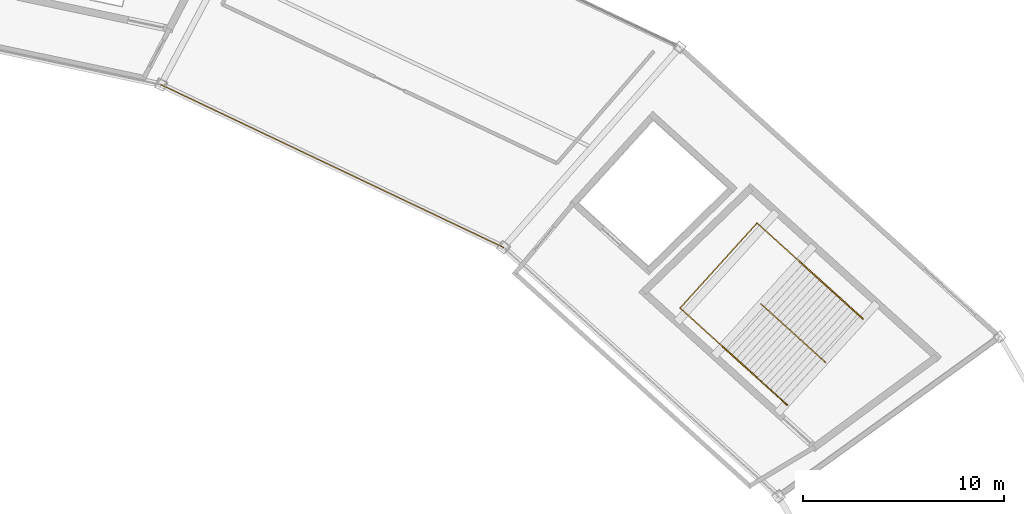
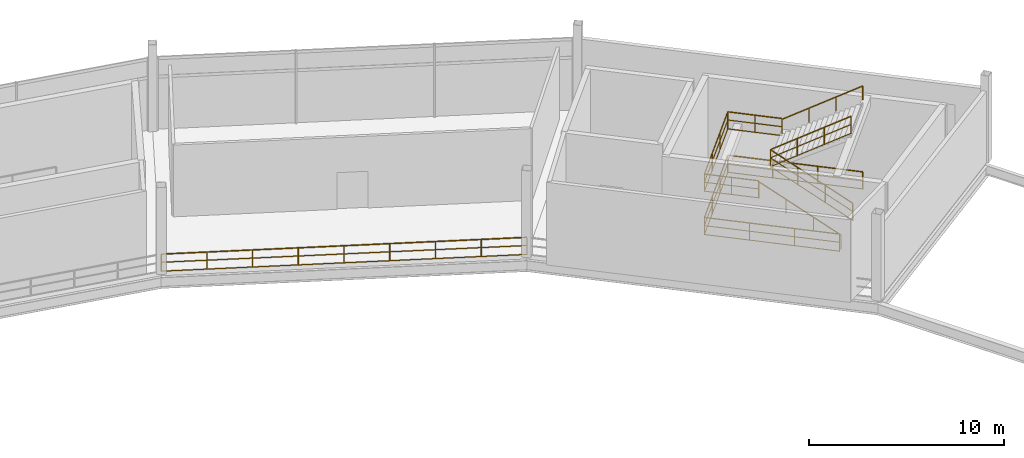
# One storey, part 103 of 103: 6 railings.
"""IFC4 building model written with IfcOpenShell, lengths in metres."""

from ifc_helpers import new_model, si_unit, direction, frame, origin, origin_2d, place, context, subcontext, project, spatial, rectangle, extrude, material, type_object, element, save


model = new_model("IFC4")

# Units and contexts
model_context = context("Model", 3, precision=1e-05, world=origin(), true_north=direction((0.0, 1.0)))
body_context = subcontext(model_context, "Body", "Model", "MODEL_VIEW")
ifc_project = project(units=[si_unit("LENGTHUNIT", "METRE"), si_unit("AREAUNIT", "SQUARE_METRE"), si_unit("VOLUMEUNIT", "CUBIC_METRE"), si_unit("PLANEANGLEUNIT", "RADIAN"), si_unit("MASSUNIT", "GRAM", prefix="KILO")], contexts=[model_context])

# Site, building, storey
site_placement = place(None, origin())
site = spatial("IfcSite", under=ifc_project, at=site_placement, CompositionType="ELEMENT")
building_placement = place(site_placement, origin())
building = spatial("IfcBuilding", under=site, at=building_placement, Name="Kazemori Nagisa Stadium", CompositionType="ELEMENT")
storey_placement = place(building_placement, frame((0.0, 0.0, 25.840087890625)))
storey = spatial("IfcBuildingStorey", under=building, at=storey_placement, Name="L05", CompositionType="ELEMENT", Elevation=25.840087890625)

# Railings
ifc_material_1 = material(Name="Laminated safety glass and stainless steel SUS304", Category="steel")
railing_type_1 = type_object("IfcRailingType", Name="Rail_BAL", PredefinedType="BALUSTRADE", material=ifc_material_1)
railing_1_placement = place(storey_placement, frame((176.834228515625, 163.11083984375, 0.0)))
element("IfcRailing", 1, at=railing_1_placement, inside=storey, type_object=railing_type_1, Name="Upper concourse balustrade L05-B05", PredefinedType="BALUSTRADE", context=body_context, shape_type="SweptSolid", body=[
    extrude(rectangle(XDim=0.050048828125, YDim=0.050048828125, at=origin_2d()), frame((0.0, 0.0, 1.09521484375), z_axis=(-0.90321938295, 0.42917915404, 0.0), x_axis=(-0.42917915404, -0.90321938295, 0.0)), (0.0, 0.0, 1.0), 18.84619140625),
    extrude(rectangle(XDim=0.03759765625, YDim=0.03759765625, at=origin_2d()), frame((0.0, 0.0, 0.58251953125), z_axis=(-0.90321938295, 0.42917915404, 0.0), x_axis=(-0.42917915404, -0.90321938295, 0.0)), (0.0, 0.0, 1.0), 18.84619140625),
    extrude(rectangle(XDim=0.03759765625, YDim=0.03759765625, at=origin_2d()), frame((0.0, 0.0, 0.02490234375), z_axis=(-0.90321938295, 0.42917915404, 0.0), x_axis=(-0.42917915404, -0.90321938295, 0.0)), (0.0, 0.0, 1.0), 18.84619140625),
    extrude(rectangle(XDim=0.044921875, YDim=0.044921875, at=origin_2d()), origin(), (0.0, 0.0, 1.0), 1.070068359375),
    extrude(rectangle(XDim=0.044921875, YDim=0.044921875, at=origin_2d()), frame((-2.127685546875, 1.010986328125, 0.0)), (0.0, 0.0, 1.0), 1.070068359375),
    extrude(rectangle(XDim=0.044921875, YDim=0.044921875, at=origin_2d()), frame((-4.255615234375, 2.02197265625, 0.0)), (0.0, 0.0, 1.0), 1.070068359375),
    extrude(rectangle(XDim=0.044921875, YDim=0.044921875, at=origin_2d()), frame((-6.38330078125, 3.033203125, 0.0)), (0.0, 0.0, 1.0), 1.070068359375),
    extrude(rectangle(XDim=0.044921875, YDim=0.044921875, at=origin_2d()), frame((-8.51123046875, 4.044189453125, 0.0)), (0.0, 0.0, 1.0), 1.070068359375),
    extrude(rectangle(XDim=0.044921875, YDim=0.044921875, at=origin_2d()), frame((-10.638916015625, 5.05517578125, 0.0)), (0.0, 0.0, 1.0), 1.070068359375),
    extrude(rectangle(XDim=0.044921875, YDim=0.044921875, at=origin_2d()), frame((-12.7666015625, 6.06640625, 0.0)), (0.0, 0.0, 1.0), 1.070068359375),
    extrude(rectangle(XDim=0.044921875, YDim=0.044921875, at=origin_2d()), frame((-14.89453125, 7.077392578125, 0.0)), (0.0, 0.0, 1.0), 1.070068359375),
    extrude(rectangle(XDim=0.044921875, YDim=0.044921875, at=origin_2d()), frame((-17.022216796875, 8.08837890625, 0.0)), (0.0, 0.0, 1.0), 1.070068359375),
])
ifc_material_2 = material(Name="Galvanised powder-coated steel", Category="steel")
railing_type_2 = type_object("IfcRailingType", Name="Rail_GUARD", PredefinedType="GUARDRAIL", material=ifc_material_2)
railing_2_placement = place(storey_placement, frame((190.87646484375, 155.334228515625, 0.0)))
element("IfcRailing", 2, at=railing_2_placement, inside=storey, type_object=railing_type_2, Name="Stair well perimeter guard ST01-L05", PredefinedType="GUARDRAIL", context=body_context, shape_type="SweptSolid", body=[
    extrude(rectangle(XDim=0.050048828125, YDim=0.050048828125, at=origin_2d()), frame((0.0, 0.0, 1.09521484375), z_axis=(-0.741349073354, 0.671119625281, 0.0), x_axis=(-0.671119625281, -0.741349073354, 0.0)), (0.0, 0.0, 1.0), 7.09521484375),
    extrude(rectangle(XDim=0.03759765625, YDim=0.03759765625, at=origin_2d()), frame((0.0, 0.0, 0.58251953125), z_axis=(-0.741349073354, 0.671119625281, 0.0), x_axis=(-0.671119625281, -0.741349073354, 0.0)), (0.0, 0.0, 1.0), 7.09521484375),
    extrude(rectangle(XDim=0.03759765625, YDim=0.03759765625, at=origin_2d()), frame((0.0, 0.0, 0.02490234375), z_axis=(-0.741349073354, 0.671119625281, 0.0), x_axis=(-0.671119625281, -0.741349073354, 0.0)), (0.0, 0.0, 1.0), 7.09521484375),
    extrude(rectangle(XDim=0.050048828125, YDim=0.050048828125, at=origin_2d()), frame((-5.260009765625, 4.76171875, 1.09521484375), z_axis=(0.67113423669, 0.74133584585, 0.0), x_axis=(-0.74133584585, 0.67113423669, 0.0)), (0.0, 0.0, 1.0), 5.699951171875),
    extrude(rectangle(XDim=0.03759765625, YDim=0.03759765625, at=origin_2d()), frame((-5.260009765625, 4.76171875, 0.58251953125), z_axis=(0.67113423669, 0.74133584585, 0.0), x_axis=(-0.74133584585, 0.67113423669, 0.0)), (0.0, 0.0, 1.0), 5.699951171875),
    extrude(rectangle(XDim=0.03759765625, YDim=0.03759765625, at=origin_2d()), frame((-5.260009765625, 4.76171875, 0.02490234375), z_axis=(0.67113423669, 0.74133584585, 0.0), x_axis=(-0.74133584585, 0.67113423669, 0.0)), (0.0, 0.0, 1.0), 5.699951171875),
    extrude(rectangle(XDim=0.050048828125, YDim=0.050048828125, at=origin_2d()), frame((-1.4345703125, 8.9873046875, 1.09521484375), z_axis=(0.741350695223, -0.671117833686, 0.0), x_axis=(0.671117833686, 0.741350695223, 0.0)), (0.0, 0.0, 1.0), 7.0947265625),
    extrude(rectangle(XDim=0.03759765625, YDim=0.03759765625, at=origin_2d()), frame((-1.4345703125, 8.9873046875, 0.58251953125), z_axis=(0.741350695223, -0.671117833686, 0.0), x_axis=(0.671117833686, 0.741350695223, 0.0)), (0.0, 0.0, 1.0), 7.0947265625),
    extrude(rectangle(XDim=0.03759765625, YDim=0.03759765625, at=origin_2d()), frame((-1.4345703125, 8.9873046875, 0.02490234375), z_axis=(0.741350695223, -0.671117833686, 0.0), x_axis=(0.671117833686, 0.741350695223, 0.0)), (0.0, 0.0, 1.0), 7.0947265625),
    extrude(rectangle(XDim=0.044921875, YDim=0.044921875, at=origin_2d()), origin(), (0.0, 0.0, 1.0), 1.070068359375),
    extrude(rectangle(XDim=0.044921875, YDim=0.044921875, at=origin_2d()), frame((-1.75341796875, 1.587158203125, 0.0)), (0.0, 0.0, 1.0), 1.070068359375),
    extrude(rectangle(XDim=0.044921875, YDim=0.044921875, at=origin_2d()), frame((-3.506591796875, 3.174560546875, 0.0)), (0.0, 0.0, 1.0), 1.070068359375),
    extrude(rectangle(XDim=0.044921875, YDim=0.044921875, at=origin_2d()), frame((-5.260009765625, 4.76171875, 0.0)), (0.0, 0.0, 1.0), 1.070068359375),
    extrude(rectangle(XDim=0.044921875, YDim=0.044921875, at=origin_2d()), frame((-3.98486328125, 6.170166015625, 0.0)), (0.0, 0.0, 1.0), 1.070068359375),
    extrude(rectangle(XDim=0.044921875, YDim=0.044921875, at=origin_2d()), frame((-2.709716796875, 7.578857421875, 0.0)), (0.0, 0.0, 1.0), 1.070068359375),
    extrude(rectangle(XDim=0.044921875, YDim=0.044921875, at=origin_2d()), frame((-1.4345703125, 8.9873046875, 0.0)), (0.0, 0.0, 1.0), 1.070068359375),
    extrude(rectangle(XDim=0.044921875, YDim=0.044921875, at=origin_2d()), frame((0.318603515625, 7.400146484375, 0.0)), (0.0, 0.0, 1.0), 1.070068359375),
    extrude(rectangle(XDim=0.044921875, YDim=0.044921875, at=origin_2d()), frame((2.072021484375, 5.81298828125, 0.0)), (0.0, 0.0, 1.0), 1.070068359375),
    extrude(rectangle(XDim=0.044921875, YDim=0.044921875, at=origin_2d()), frame((3.8251953125, 4.225830078125, 0.0)), (0.0, 0.0, 1.0), 1.070068359375),
])
railing_3_placement = place(storey_placement, frame((192.848388671875, 157.393310546875, 0.0)))
element("IfcRailing", 3, at=railing_3_placement, inside=storey, type_object=railing_type_2, Name="Stair central guard ST01-L05", PredefinedType="GUARDRAIL", context=body_context, shape_type="SweptSolid", body=[
    extrude(rectangle(XDim=0.050048828125, YDim=0.050048828125, at=origin_2d()), frame((0.0, 0.0, 1.09521484375), z_axis=(-0.627557777508, 0.568113486393, 0.532370456043), x_axis=(-0.67112318634, -0.741345849626, 0.0)), (0.0, 0.0, 1.0), 5.109130859375),
    extrude(rectangle(XDim=0.03759765625, YDim=0.03759765625, at=origin_2d()), frame((0.0, 0.0, 0.58251953125), z_axis=(-0.627557777508, 0.568113486393, 0.532370456043), x_axis=(-0.67112318634, -0.741345849626, 0.0)), (0.0, 0.0, 1.0), 5.109130859375),
    extrude(rectangle(XDim=0.03759765625, YDim=0.03759765625, at=origin_2d()), frame((0.0, 0.0, 0.02490234375), z_axis=(-0.627557777508, 0.568113486393, 0.532370456043), x_axis=(-0.67112318634, -0.741345849626, 0.0)), (0.0, 0.0, 1.0), 5.109130859375),
    extrude(rectangle(XDim=0.050048828125, YDim=0.050048828125, at=origin_2d()), frame((-3.206298828125, 2.902587890625, 3.81494140625), z_axis=(0.624200602078, -0.565073454279, 0.539504957933), x_axis=(0.671122625547, 0.741346357298, 0.0)), (0.0, 0.0, 1.0), 5.04150390625),
    extrude(rectangle(XDim=0.03759765625, YDim=0.03759765625, at=origin_2d()), frame((-3.206298828125, 2.902587890625, 3.302490234375), z_axis=(0.624200602078, -0.565073454279, 0.539504957933), x_axis=(0.671122625547, 0.741346357298, 0.0)), (0.0, 0.0, 1.0), 5.04150390625),
    extrude(rectangle(XDim=0.03759765625, YDim=0.03759765625, at=origin_2d()), frame((-3.206298828125, 2.902587890625, 2.7451171875), z_axis=(0.624200602078, -0.565073454279, 0.539504957933), x_axis=(0.671122625547, 0.741346357298, 0.0)), (0.0, 0.0, 1.0), 5.04150390625),
    extrude(rectangle(XDim=0.044921875, YDim=0.044921875, at=origin_2d()), origin(), (0.0, 0.0, 1.0), 1.070068359375),
    extrude(rectangle(XDim=0.044921875, YDim=0.044921875, at=origin_2d()), frame((-1.06884765625, 0.967529296875, 0.90673828125)), (0.0, 0.0, 1.0), 1.070068359375),
    extrude(rectangle(XDim=0.044921875, YDim=0.044921875, at=origin_2d()), frame((-2.137451171875, 1.93505859375, 1.813232421875)), (0.0, 0.0, 1.0), 1.070068359375),
    extrude(rectangle(XDim=0.044921875, YDim=0.044921875, at=origin_2d()), frame((-3.206298828125, 2.902587890625, 2.719970703125)), (0.0, 0.0, 1.0), 1.070068359375),
    extrude(rectangle(XDim=0.044921875, YDim=0.044921875, at=origin_2d()), frame((-2.1572265625, 1.952880859375, 3.626708984375)), (0.0, 0.0, 1.0), 1.070068359375),
    extrude(rectangle(XDim=0.044921875, YDim=0.044921875, at=origin_2d()), frame((-1.1083984375, 1.00341796875, 4.533203125)), (0.0, 0.0, 1.0), 1.070068359375),
    extrude(rectangle(XDim=0.044921875, YDim=0.044921875, at=origin_2d()), frame((-0.059326171875, 0.0537109375, 5.43994140625)), (0.0, 0.0, 1.0), 1.070068359375),
])
railing_4_placement = place(storey_placement, frame((187.729248046875, 158.18310546875, 2.719970703125)))
element("IfcRailing", 4, at=railing_4_placement, inside=storey, type_object=railing_type_2, Name="Stair landing guard ST01-L05", PredefinedType="GUARDRAIL", context=body_context, shape_type="SweptSolid", body=[
    extrude(rectangle(XDim=0.050048828125, YDim=0.050048828125, at=origin_2d()), frame((0.0, 0.0, 1.09521484375), z_axis=(-0.741314535645, 0.671157775223, 0.0), x_axis=(-0.671157775223, -0.741314535645, 0.0)), (0.0, 0.0, 1.0), 2.85009765625),
    extrude(rectangle(XDim=0.03759765625, YDim=0.03759765625, at=origin_2d()), frame((0.0, 0.0, 0.58251953125), z_axis=(-0.741314535645, 0.671157775223, 0.0), x_axis=(-0.671157775223, -0.741314535645, 0.0)), (0.0, 0.0, 1.0), 2.85009765625),
    extrude(rectangle(XDim=0.03759765625, YDim=0.03759765625, at=origin_2d()), frame((0.0, 0.0, 0.02490234375), z_axis=(-0.741314535645, 0.671157775223, 0.0), x_axis=(-0.671157775223, -0.741314535645, 0.0)), (0.0, 0.0, 1.0), 2.85009765625),
    extrude(rectangle(XDim=0.050048828125, YDim=0.050048828125, at=origin_2d()), frame((-2.11279296875, 1.912841796875, 1.09521484375), z_axis=(0.67113423669, 0.74133584585, 0.0), x_axis=(-0.74133584585, 0.67113423669, 0.0)), (0.0, 0.0, 1.0), 5.699951171875),
    extrude(rectangle(XDim=0.03759765625, YDim=0.03759765625, at=origin_2d()), frame((-2.11279296875, 1.912841796875, 0.58251953125), z_axis=(0.67113423669, 0.74133584585, 0.0), x_axis=(-0.74133584585, 0.67113423669, 0.0)), (0.0, 0.0, 1.0), 5.699951171875),
    extrude(rectangle(XDim=0.03759765625, YDim=0.03759765625, at=origin_2d()), frame((-2.11279296875, 1.912841796875, 0.02490234375), z_axis=(0.67113423669, 0.74133584585, 0.0), x_axis=(-0.74133584585, 0.67113423669, 0.0)), (0.0, 0.0, 1.0), 5.699951171875),
    extrude(rectangle(XDim=0.050048828125, YDim=0.050048828125, at=origin_2d()), frame((1.712646484375, 6.138427734375, 1.09521484375), z_axis=(0.741357156534, -0.671110696127, 0.0), x_axis=(0.671110696127, 0.741357156534, 0.0)), (0.0, 0.0, 1.0), 2.849853515625),
    extrude(rectangle(XDim=0.03759765625, YDim=0.03759765625, at=origin_2d()), frame((1.712646484375, 6.138427734375, 0.58251953125), z_axis=(0.741357156534, -0.671110696127, 0.0), x_axis=(0.671110696127, 0.741357156534, 0.0)), (0.0, 0.0, 1.0), 2.849853515625),
    extrude(rectangle(XDim=0.03759765625, YDim=0.03759765625, at=origin_2d()), frame((1.712646484375, 6.138427734375, 0.02490234375), z_axis=(0.741357156534, -0.671110696127, 0.0), x_axis=(0.671110696127, 0.741357156534, 0.0)), (0.0, 0.0, 1.0), 2.849853515625),
    extrude(rectangle(XDim=0.044921875, YDim=0.044921875, at=origin_2d()), origin(), (0.0, 0.0, 1.0), 1.070068359375),
    extrude(rectangle(XDim=0.044921875, YDim=0.044921875, at=origin_2d()), frame((-1.056396484375, 0.95654296875, 0.0)), (0.0, 0.0, 1.0), 1.070068359375),
    extrude(rectangle(XDim=0.044921875, YDim=0.044921875, at=origin_2d()), frame((-2.11279296875, 1.912841796875, 0.0)), (0.0, 0.0, 1.0), 1.070068359375),
    extrude(rectangle(XDim=0.044921875, YDim=0.044921875, at=origin_2d()), frame((-0.837646484375, 3.3212890625, 0.0)), (0.0, 0.0, 1.0), 1.070068359375),
    extrude(rectangle(XDim=0.044921875, YDim=0.044921875, at=origin_2d()), frame((0.4375, 4.72998046875, 0.0)), (0.0, 0.0, 1.0), 1.070068359375),
    extrude(rectangle(XDim=0.044921875, YDim=0.044921875, at=origin_2d()), frame((1.712646484375, 6.138427734375, 0.0)), (0.0, 0.0, 1.0), 1.070068359375),
    extrude(rectangle(XDim=0.044921875, YDim=0.044921875, at=origin_2d()), frame((2.76904296875, 5.18212890625, 0.0)), (0.0, 0.0, 1.0), 1.070068359375),
    extrude(rectangle(XDim=0.044921875, YDim=0.044921875, at=origin_2d()), frame((3.825439453125, 4.225830078125, 0.0)), (0.0, 0.0, 1.0), 1.070068359375),
])
ifc_material_3 = material(Name="Stainless steel SUS304", Category="steel")
railing_type_3 = type_object("IfcRailingType", Name="Rail_HAND", PredefinedType="HANDRAIL", material=ifc_material_3)
railing_5_placement = place(storey_placement, frame((190.935791015625, 155.280517578125, 0.169921875)))
element("IfcRailing", 5, at=railing_5_placement, inside=storey, type_object=railing_type_3, Name="Stair handrail ST01-L05-F1", PredefinedType="HANDRAIL", context=body_context, shape_type="SweptSolid", body=[
    extrude(rectangle(XDim=0.050048828125, YDim=0.050048828125, at=origin_2d()), frame((0.0, 0.0, 0.875), z_axis=(-0.627586741976, 0.568096450081, 0.532354491576), x_axis=(-0.671095101672, -0.741371273056, 0.0)), (0.0, 0.0, 1.0), 5.109375),
    extrude(rectangle(XDim=0.044921875, YDim=0.044921875, at=origin_2d()), origin(), (0.0, 0.0, 1.0), 0.849853515625),
    extrude(rectangle(XDim=0.044921875, YDim=0.044921875, at=origin_2d()), frame((-1.06884765625, 0.967529296875, 0.90673828125)), (0.0, 0.0, 1.0), 0.849853515625),
    extrude(rectangle(XDim=0.044921875, YDim=0.044921875, at=origin_2d()), frame((-2.1376953125, 1.93505859375, 1.813232421875)), (0.0, 0.0, 1.0), 0.849853515625),
    extrude(rectangle(XDim=0.044921875, YDim=0.044921875, at=origin_2d()), frame((-3.20654296875, 2.902587890625, 2.719970703125)), (0.0, 0.0, 1.0), 0.849853515625),
])
railing_6_placement = place(storey_placement, frame((191.5546875, 162.408935546875, 2.889892578125)))
element("IfcRailing", 6, at=railing_6_placement, inside=storey, type_object=railing_type_3, Name="Stair handrail ST01-L05-F2", PredefinedType="HANDRAIL", context=body_context, shape_type="SweptSolid", body=[
    extrude(rectangle(XDim=0.050048828125, YDim=0.050048828125, at=origin_2d()), frame((0.0, 0.0, 0.875), z_axis=(0.624200602078, -0.565073454279, 0.539504957933), x_axis=(0.671122625547, 0.741346357298, 0.0)), (0.0, 0.0, 1.0), 5.04150390625),
    extrude(rectangle(XDim=0.044921875, YDim=0.044921875, at=origin_2d()), origin(), (0.0, 0.0, 1.0), 0.849853515625),
    extrude(rectangle(XDim=0.044921875, YDim=0.044921875, at=origin_2d()), frame((1.049072265625, -0.94970703125, 0.90673828125)), (0.0, 0.0, 1.0), 0.849853515625),
    extrude(rectangle(XDim=0.044921875, YDim=0.044921875, at=origin_2d()), frame((2.097900390625, -1.899169921875, 1.813232421875)), (0.0, 0.0, 1.0), 0.849853515625),
    extrude(rectangle(XDim=0.044921875, YDim=0.044921875, at=origin_2d()), frame((3.14697265625, -2.848876953125, 2.719970703125)), (0.0, 0.0, 1.0), 0.849853515625),
])

save(model, "model.ifc")
